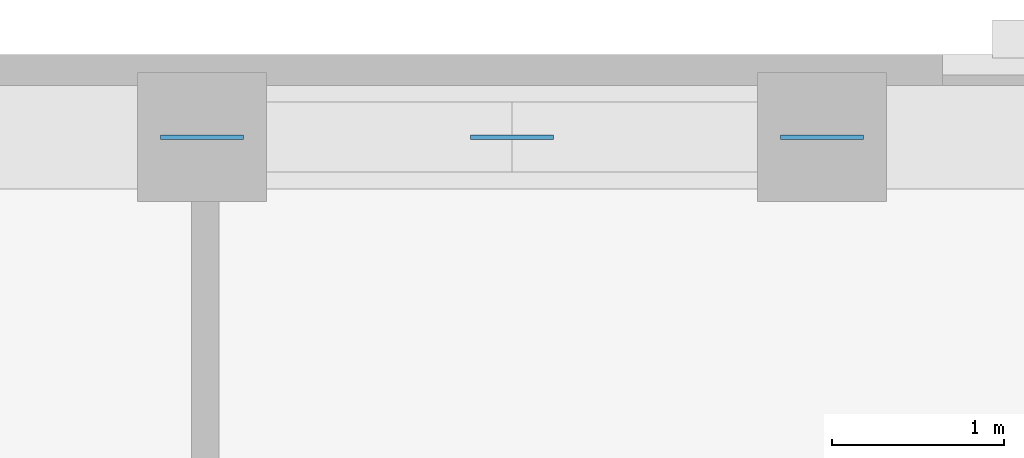
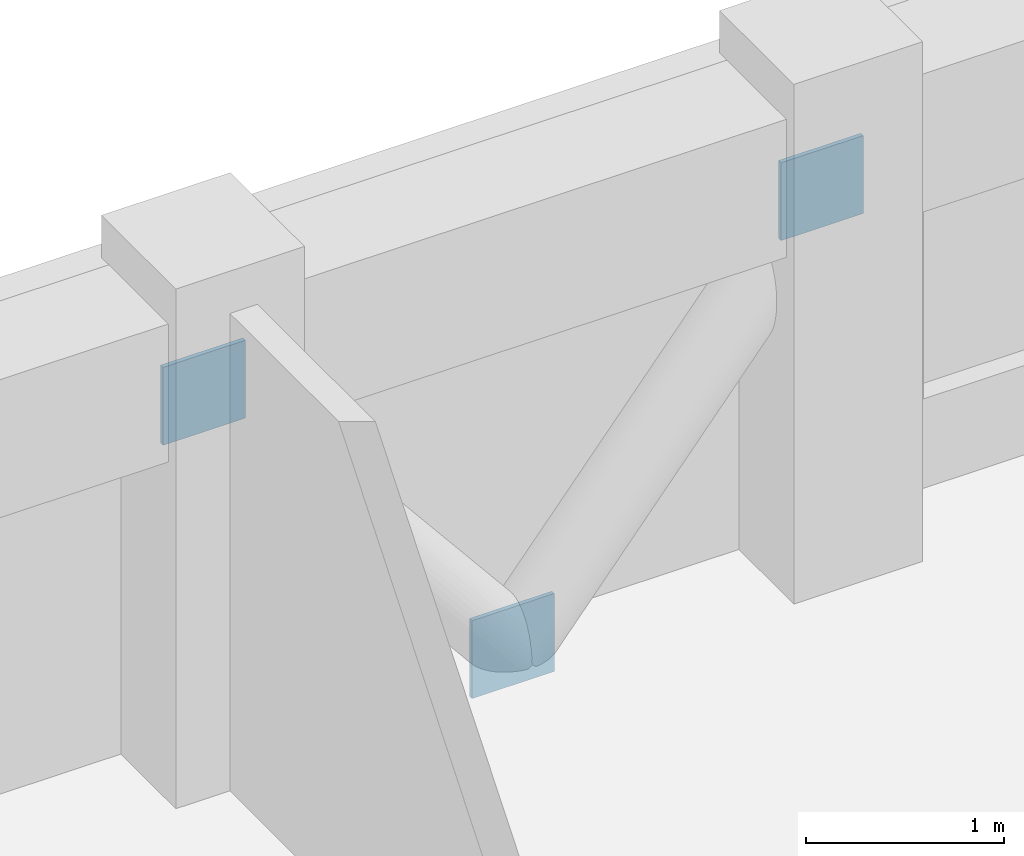
# One storey, part 10 of 12: 3 discrete accessories.
"""IFC4 building model written with IfcOpenShell, lengths in metres."""

from ifc_helpers import new_model, si_unit, derived_unit, direction, frame, origin, origin_2d, place, context, subcontext, project, spatial, rectangle, extrude, material, layer, layer_set, type_object, element, save


model = new_model("IFC4")

# Units and contexts
model_context = context("Model", 3, precision=1e-05, world=origin(), true_north=direction((0.0, 1.0)))
body_context = subcontext(model_context, "Body", "Model", "MODEL_VIEW")
ifc_project = project(units=[si_unit("LENGTHUNIT", "METRE"), si_unit("AREAUNIT", "SQUARE_METRE"), si_unit("VOLUMEUNIT", "CUBIC_METRE"), si_unit("PLANEANGLEUNIT", "RADIAN"), si_unit("MASSUNIT", "GRAM", prefix="KILO"), derived_unit("THERMALTRANSMITTANCEUNIT", [(si_unit("MASSUNIT", "GRAM", prefix="KILO"), 1), (si_unit("TIMEUNIT", "SECOND"), -3), (si_unit("THERMODYNAMICTEMPERATUREUNIT", "KELVIN"), -1)])], contexts=[model_context])

# Site, building, storey
site_placement = place(None, origin())
site = spatial("IfcSite", under=ifc_project, at=site_placement, CompositionType="ELEMENT")
building_placement = place(site_placement, origin())
building = spatial("IfcBuilding", under=site, at=building_placement, Name="Korrvale Station Residences", CompositionType="ELEMENT")
storey_placement = place(building_placement, frame((0.0, 0.0, 103.89990234375)))
storey = spatial("IfcBuildingStorey", under=building, at=storey_placement, Name="L29", CompositionType="ELEMENT", Elevation=103.89990234375)

# Discrete accessories
ifc_material = material(Name="Steel S355", Category="steel")
ifc_layer = layer(ifc_material, 0.02490234375, Name="Steel S355")
ifc_layer_set = layer_set([ifc_layer], Name="Steel S355")
discrete_accessory_type = type_object("IfcDiscreteAccessoryType", Name="ACC-GUSSET-25", PredefinedType="BRACKET", material=ifc_layer_set)
for number, where, z_axis, x_axis, name in (
    (1, (25.0, 42.820068359375, -0.219970703125), (0.0, 0.0, 1.0), (1.0, 0.0, 0.0), "L29 N Brace End Gusset Connection M"),
    (2, (23.199951171875, 42.820068359375, 1.97021484375), (0.0, 0.0, 1.0), (1.0, 0.0, 0.0), "L29 N Brace End Gusset Connection A"),
    (3, (26.800048828125, 42.820068359375, 1.97021484375), (0.0, 0.0, 1.0), (1.0, 0.0, 0.0), "L29 N Brace End Gusset Connection B"),
):
    element("IfcDiscreteAccessory", number, at=place(storey_placement, frame(where, z_axis=z_axis, x_axis=x_axis)), inside=storey, type_object=discrete_accessory_type, Name=name, PredefinedType="BRACKET", context=body_context, shape_type="SweptSolid", body=[
        extrude(rectangle(XDim=0.47998046875, YDim=0.02490234375, at=origin_2d()), origin(), (0.0, 0.0, 1.0), 0.47998046875),
    ])

save(model, "model.ifc")
